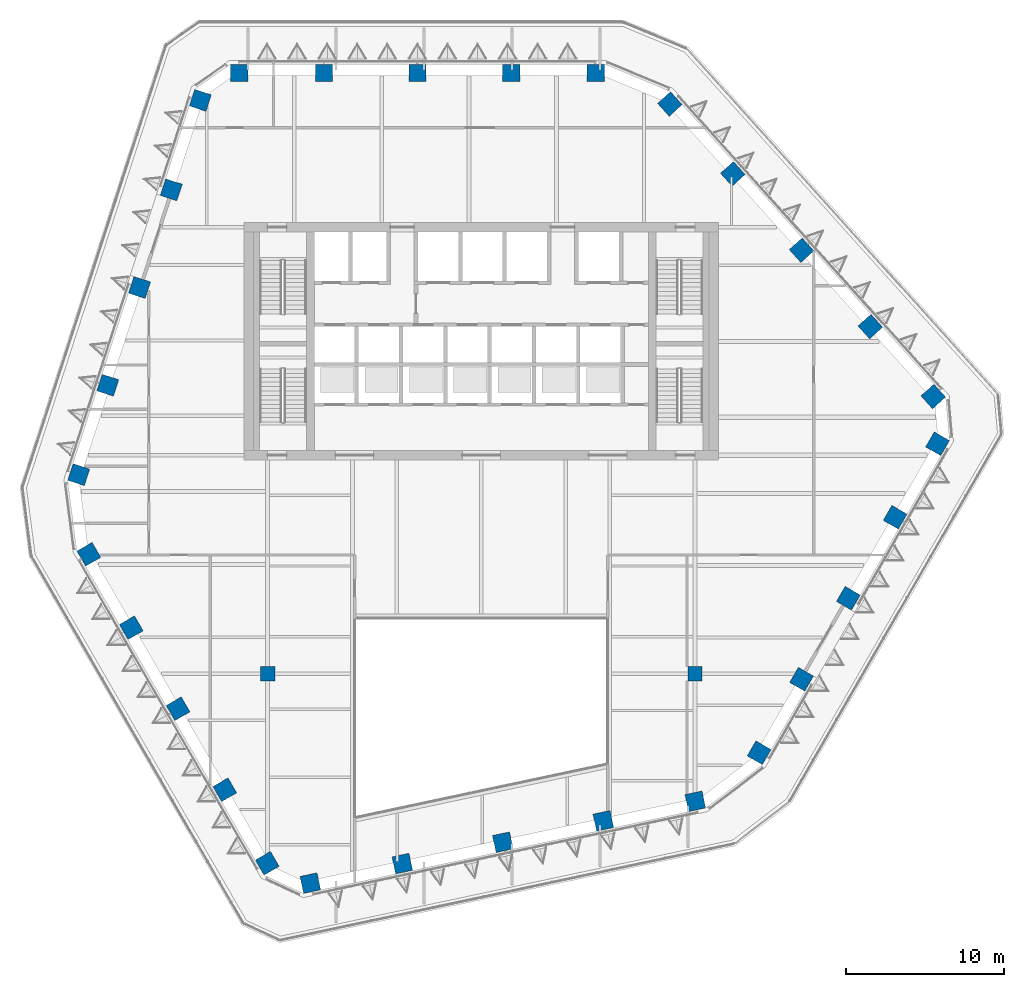
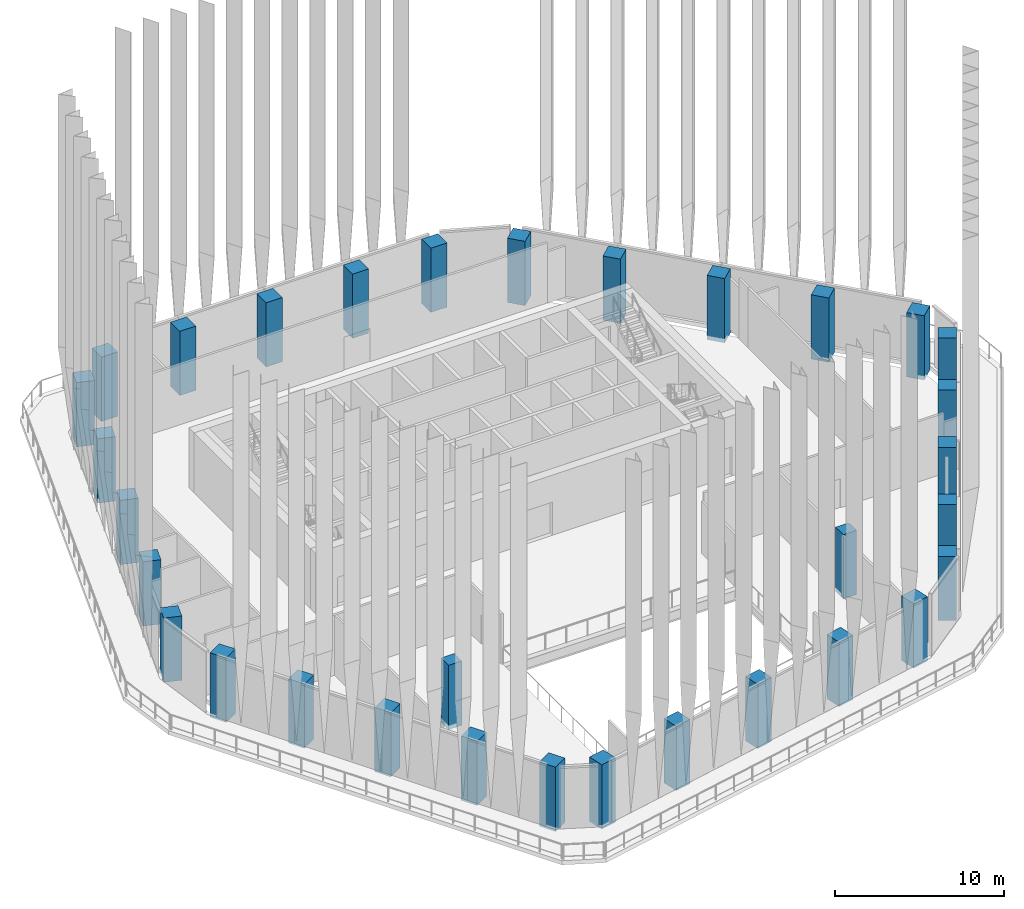
# One storey, part 1 of 21: 32 columns.
"""IFC4 building model written with IfcOpenShell, lengths in metres."""

from ifc_helpers import new_model, si_unit, direction, frame, origin, origin_2d, place, context, subcontext, project, spatial, rectangle, extrude, material, material_profile, profile_set, type_object, element, save


model = new_model("IFC4")

# Units and contexts
model_context = context("Model", 3, precision=1e-05, world=origin(), true_north=direction((0.0, 1.0)))
body_context = subcontext(model_context, "Body", "Model", "MODEL_VIEW")
ifc_project = project(units=[si_unit("LENGTHUNIT", "METRE"), si_unit("AREAUNIT", "SQUARE_METRE"), si_unit("VOLUMEUNIT", "CUBIC_METRE"), si_unit("PLANEANGLEUNIT", "RADIAN"), si_unit("MASSUNIT", "GRAM", prefix="KILO")], contexts=[model_context])

# Site, building, storey
site_placement = place(None, origin())
site = spatial("IfcSite", under=ifc_project, at=site_placement, CompositionType="ELEMENT")
building_placement = place(site_placement, origin())
building = spatial("IfcBuilding", under=site, at=building_placement, Name="Isthmus Gate Tower", CompositionType="ELEMENT")
storey_placement = place(building_placement, frame((0.0, 0.0, 211.800048828125)))
storey = spatial("IfcBuildingStorey", under=building, at=storey_placement, Name="L53", CompositionType="ELEMENT", Elevation=211.800048828125)

# Columns
ifc_material_1 = material(Name="Concrete f'c 50 MPa", Category="concrete")
ifc_material_profile_1 = material_profile(ifc_material_1, rectangle(XDim=0.89990234375, YDim=0.89990234375, at=origin_2d()), Name="RC 900X900")
ifc_profile_set_1 = profile_set([ifc_material_profile_1], Name="Concrete f'c 50 MPa")
column_type_1 = type_object("IfcColumnType", Name="RC INTERIOR COLUMN 900 X 900", PredefinedType="COLUMN", material=ifc_profile_set_1)
for number, where, z_axis, x_axis, name in (
    (1, (-13.5, -13.5, -0.300048828125), (0.0, 0.0, 1.0), (1.0, 0.0, 0.0), "str-icol-L53-ICB2"),
    (2, (13.5, -13.5, -0.300048828125), (0.0, 0.0, 1.0), (1.0, 0.0, 0.0), "str-icol-L53-ICD2"),
):
    element("IfcColumn", number, at=place(storey_placement, frame(where, z_axis=z_axis, x_axis=x_axis)), inside=storey, type_object=column_type_1, Name=name, PredefinedType="COLUMN", context=body_context, shape_type="SweptSolid", body=[
        extrude(rectangle(XDim=0.89990234375, YDim=0.89990234375, at=origin_2d()), origin(), (0.0, 0.0, 1.0), 4.64990234375),
    ])
ifc_material_2 = material(Name="Concrete f'c 50 MPa", Category="concrete")
ifc_material_profile_2 = material_profile(ifc_material_2, rectangle(XDim=1.10009765625, YDim=1.10009765625, at=origin_2d()), Name="RC 1100X1100")
ifc_profile_set_2 = profile_set([ifc_material_profile_2], Name="Concrete f'c 50 MPa")
column_type_2 = type_object("IfcColumnType", Name="RC TUBE COLUMN 1100 X 1100", PredefinedType="COLUMN", material=ifc_profile_set_2)
for number, where, z_axis, x_axis, name in (
    (3, (7.2412109375, 24.449951171875, -0.300048828125), (0.0, 0.0, 1.0), (-1.0, 0.0, 0.0), "str-tcol-L53-T3N0"),
    (4, (1.880615234375, 24.449951171875, -0.300048828125), (0.0, 0.0, 1.0), (-1.0, 0.0, 0.0), "str-tcol-L53-T3N1"),
    (5, (-4.030029296875, 24.449951171875, -0.300048828125), (0.0, 0.0, 1.0), (-1.0, 0.0, 0.0), "str-tcol-L53-T3N2"),
    (6, (-9.940673828125, 24.449951171875, -0.300048828125), (0.0, 0.0, 1.0), (-1.0, 0.0, 0.0), "str-tcol-L53-T3N3"),
    (7, (-15.30126953125, 24.449951171875, -0.300048828125), (0.0, 0.0, 1.0), (-1.0, 0.0, 0.0), "str-tcol-L53-T3N4"),
    (8, (-17.7509765625, 22.721923828125, -0.300048828125), (0.0, 0.0, 1.0), (-0.309016994375, -0.951056516295, 0.0), "str-tcol-L53-T3NW0"),
    (9, (-19.587158203125, 17.07080078125, -0.300048828125), (0.0, 0.0, 1.0), (-0.309016994375, -0.951056516295, 0.0), "str-tcol-L53-T3NW1"),
    (10, (-21.59326171875, 10.896728515625, -0.300048828125), (0.0, 0.0, 1.0), (-0.309016994375, -0.951056516295, 0.0), "str-tcol-L53-T3NW2"),
    (11, (-23.599365234375, 4.72265625, -0.300048828125), (0.0, 0.0, 1.0), (-0.309016994375, -0.951056516295, 0.0), "str-tcol-L53-T3NW3"),
    (12, (-25.435546875, -0.928466796875, -0.300048828125), (0.0, 0.0, 1.0), (-0.309016994375, -0.951056516295, 0.0), "str-tcol-L53-T3NW4"),
    (13, (-24.794921875, -5.9541015625, -0.300048828125), (0.0, 0.0, 1.0), (0.5, -0.866025403784, 0.0), "str-tcol-L53-T3SW0"),
    (14, (-22.114501953125, -10.596435546875, -0.300048828125), (0.0, 0.0, 1.0), (0.5, -0.866025403784, 0.0), "str-tcol-L53-T3SW1"),
    (15, (-19.1591796875, -15.715087890625, -0.300048828125), (0.0, 0.0, 1.0), (0.5, -0.866025403784, 0.0), "str-tcol-L53-T3SW2"),
    (16, (-16.2041015625, -20.833984375, -0.300048828125), (0.0, 0.0, 1.0), (0.5, -0.866025403784, 0.0), "str-tcol-L53-T3SW3"),
    (17, (-13.523681640625, -25.476318359375, -0.300048828125), (0.0, 0.0, 1.0), (0.5, -0.866025403784, 0.0), "str-tcol-L53-T3SW4"),
    (18, (-10.80224609375, -26.73388671875, -0.300048828125), (0.0, 0.0, 1.0), (0.978147600734, 0.207911690818, 0.0), "str-tcol-L53-T3S0"),
    (19, (-4.990234375, -25.498291015625, -0.300048828125), (0.0, 0.0, 1.0), (0.978147600734, 0.207911690818, 0.0), "str-tcol-L53-T3S1"),
    (20, (1.35986328125, -24.148681640625, -0.300048828125), (0.0, 0.0, 1.0), (0.978147600734, 0.207911690818, 0.0), "str-tcol-L53-T3S2"),
    (21, (7.7099609375, -22.798828125, -0.300048828125), (0.0, 0.0, 1.0), (0.978147600734, 0.207911690818, 0.0), "str-tcol-L53-T3S3"),
    (22, (13.52197265625, -21.5634765625, -0.300048828125), (0.0, 0.0, 1.0), (0.978147600734, 0.207911690818, 0.0), "str-tcol-L53-T3S4"),
    (23, (17.5537109375, -18.495849609375, -0.300048828125), (0.0, 0.0, 1.0), (0.5, 0.866025403784, 0.0), "str-tcol-L53-T3SE0"),
    (24, (20.234130859375, -13.853515625, -0.300048828125), (0.0, 0.0, 1.0), (0.5, 0.866025403784, 0.0), "str-tcol-L53-T3SE1"),
    (25, (23.189453125, -8.73486328125, -0.300048828125), (0.0, 0.0, 1.0), (0.5, 0.866025403784, 0.0), "str-tcol-L53-T3SE2"),
    (26, (26.144775390625, -3.6162109375, -0.300048828125), (0.0, 0.0, 1.0), (0.5, 0.866025403784, 0.0), "str-tcol-L53-T3SE3"),
    (27, (28.824951171875, 1.0263671875, -0.300048828125), (0.0, 0.0, 1.0), (0.5, 0.866025403784, 0.0), "str-tcol-L53-T3SE4"),
    (28, (28.55322265625, 4.011962890625, -0.300048828125), (0.0, 0.0, 1.0), (-0.669130606359, 0.743144825477, 0.0), "str-tcol-L53-T3NE0"),
    (29, (24.577392578125, 8.427490234375, -0.300048828125), (0.0, 0.0, 1.0), (-0.669130606359, 0.743144825477, 0.0), "str-tcol-L53-T3NE1"),
    (30, (20.2333984375, 13.251953125, -0.300048828125), (0.0, 0.0, 1.0), (-0.669130606359, 0.743144825477, 0.0), "str-tcol-L53-T3NE2"),
    (31, (15.8896484375, 18.076416015625, -0.300048828125), (0.0, 0.0, 1.0), (-0.669130606359, 0.743144825477, 0.0), "str-tcol-L53-T3NE3"),
    (32, (11.91357421875, 22.4921875, -0.300048828125), (0.0, 0.0, 1.0), (-0.669130606359, 0.743144825477, 0.0), "str-tcol-L53-T3NE4"),
):
    element("IfcColumn", number, at=place(storey_placement, frame(where, z_axis=z_axis, x_axis=x_axis)), inside=storey, type_object=column_type_2, Name=name, PredefinedType="COLUMN", context=body_context, shape_type="SweptSolid", body=[
        extrude(rectangle(XDim=1.10009765625, YDim=1.10009765625, at=origin_2d()), origin(), (0.0, 0.0, 1.0), 4.64990234375),
    ])

save(model, "model.ifc")
